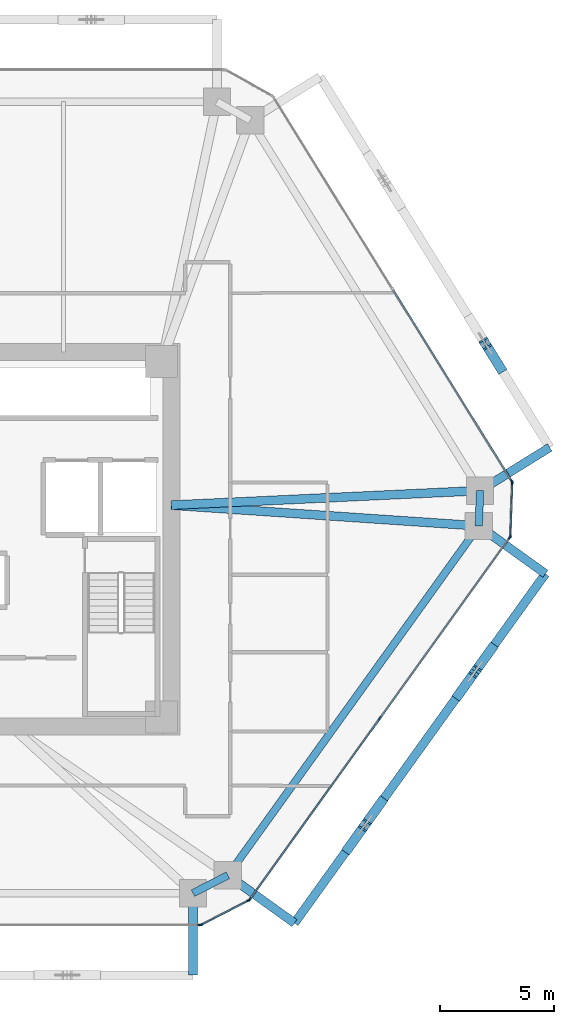
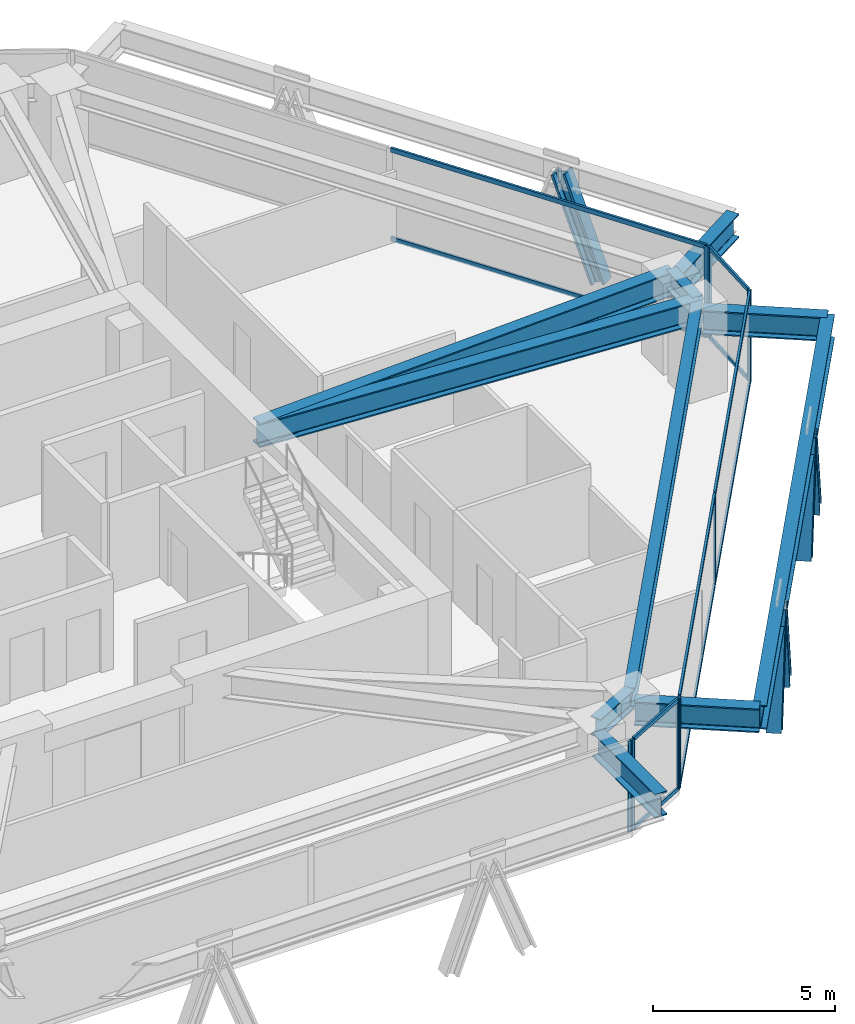
# One storey, part 5 of 15: 24 members, 10 beams, 5 elements without a shape of their own.
"""IFC4 building model written with IfcOpenShell, lengths in metres."""

from ifc_helpers import new_model, si_unit, direction, frame, origin, origin_2d, place, context, subcontext, project, spatial, rectangle, i_section, extrude, source, transform, mapped, material, layer, layer_set, material_profile, profile_set, type_object, type_shapes, element, aggregate, save


model = new_model("IFC4")

# Units and contexts
model_context = context("Model", 3, precision=1e-05, world=origin(), true_north=direction((0.0, 1.0)))
body_context = subcontext(model_context, "Body", "Model", "MODEL_VIEW")
ifc_project = project(units=[si_unit("LENGTHUNIT", "METRE"), si_unit("AREAUNIT", "SQUARE_METRE"), si_unit("VOLUMEUNIT", "CUBIC_METRE"), si_unit("PLANEANGLEUNIT", "RADIAN"), si_unit("MASSUNIT", "GRAM", prefix="KILO")], contexts=[model_context])

# Site, building, storey
site_placement = place(None, origin())
site = spatial("IfcSite", under=ifc_project, at=site_placement, CompositionType="ELEMENT")
building_placement = place(site_placement, origin())
building = spatial("IfcBuilding", under=site, at=building_placement, Name="Durnholm Broadcast Tower", CompositionType="ELEMENT")
storey_placement = place(building_placement, frame((0.0, 0.0, 97.5)))
storey = spatial("IfcBuildingStorey", under=building, at=storey_placement, Name="L25", CompositionType="ELEMENT", Elevation=97.5)

# Beams
ifc_material_1 = material(Name="Steel ASTM A992 Grade 50", Category="steel")
ifc_material_profile_1 = material_profile(ifc_material_1, i_section(OverallWidth=0.385009765625, OverallDepth=0.802978515625, WebThickness=0.023681640625, FlangeThickness=0.0419921875, FilletRadius=0.032958984375, at=origin_2d()), Name="W30X261")
ifc_profile_set_1 = profile_set([ifc_material_profile_1], Name="Steel ASTM A992 Grade 50")
beam_type_1 = type_object("IfcBeamType", Name="BM-EXO-TIE", PredefinedType="USERDEFINED", material=ifc_profile_set_1)
shared_shape_1 = source(origin(), body_context, "Body", "SweptSolid", [
    extrude(i_section(OverallWidth=0.385009765625, OverallDepth=0.802978515625, WebThickness=0.023681640625, FlangeThickness=0.0419921875, FilletRadius=0.032958984375, at=origin_2d()), origin(), (0.0, 0.0, 1.0), 3.4560546875),
])
for number, where, z_axis, x_axis, name in (
    (1, (11.176025390625, -15.680908203125, 2.30859375), (0.0, -1.0, 0.0), (1.0, 0.0, 0.0), "L25 exoskeleton stand-off tie bracket F1.2"),
    (2, (12.826904296875, -14.834228515625, 2.30859375), (0.812164951739, -0.583427880005, 0.0), (0.583427880005, 0.812164951739, 0.0), "L25 exoskeleton stand-off tie bracket F2.1"),
    (3, (23.844970703125, 0.5029296875, 2.30859375), (0.812164951739, -0.583427880005, 0.0), (0.583427880005, 0.812164951739, 0.0), "L25 exoskeleton stand-off tie bracket F2.2"),
    (4, (23.903076171875, 2.21240234375, 2.30859375), (0.849795112316, 0.527113144481, 0.0), (-0.527113144481, 0.849795112316, 0.0), "L25 exoskeleton stand-off tie bracket F3.1"),
):
    element("IfcBeam", number, at=place(storey_placement, frame(where, z_axis=z_axis, x_axis=x_axis)), inside=storey, type_object=beam_type_1, Name=name, ObjectType="GIRDER", PredefinedType="USERDEFINED", context=body_context, shape_type="MappedRepresentation", body=[
        mapped(shared_shape_1, transform((0.0, 0.0, 0.0), x_axis=(1.0, 0.0, 0.0), y_axis=(0.0, 1.0, 0.0), z_axis=(0.0, 0.0, 1.0), scale=1.0)),
    ])
ifc_material_profile_2 = material_profile(ifc_material_1, i_section(OverallWidth=0.3291015625, OverallDepth=0.635009765625, WebThickness=0.017822265625, FlangeThickness=0.031005859375, FilletRadius=0.02783203125, at=origin_2d()), Name="W24X162")
ifc_profile_set_2 = profile_set([ifc_material_profile_2], Name="Steel ASTM A992 Grade 50")
beam_type_2 = type_object("IfcBeamType", Name="STL-SP-W24X162", PredefinedType="SPANDREL", material=ifc_profile_set_2)
shared_shape_2 = source(origin(), body_context, "Body", "SweptSolid", [
    extrude(i_section(OverallWidth=0.3291015625, OverallDepth=0.635009765625, WebThickness=0.017822265625, FlangeThickness=0.031005859375, FilletRadius=0.02783203125, at=origin_2d()), origin(), (0.0, 0.0, 1.0), 18.884521484375),
])
beam_1_placement = place(storey_placement, frame((23.72802734375, 0.5869140625, 2.7275390625), z_axis=(-0.583443434414, -0.812153777827, 0.0), x_axis=(0.812153777827, -0.583443434414, 0.0)))
element("IfcBeam", 5, at=beam_1_placement, inside=storey, type_object=beam_type_2, Name="L25 perimeter spandrel girder 09", PredefinedType="SPANDREL", context=body_context, shape_type="MappedRepresentation", body=[
    mapped(shared_shape_2, transform((0.0, 0.0, 0.0), x_axis=(1.0, 0.0, 0.0), y_axis=(0.0, 1.0, 0.0), z_axis=(0.0, 0.0, 1.0), scale=1.0)),
])
shared_shape_3 = source(origin(), body_context, "Body", "SweptSolid", [
    extrude(i_section(OverallWidth=0.3291015625, OverallDepth=0.635009765625, WebThickness=0.017822265625, FlangeThickness=0.031005859375, FilletRadius=0.02783203125, at=origin_2d()), origin(), (0.0, 0.0, 1.0), 1.723876953125),
])
beam_2_placement = place(storey_placement, frame((12.7099609375, -14.750244140625, 2.7275390625), z_axis=(-0.889762904339, -0.456423020959, 0.0), x_axis=(0.456423020959, -0.889762904339, 0.0)))
element("IfcBeam", 6, at=beam_2_placement, inside=storey, type_object=beam_type_2, Name="L25 perimeter spandrel girder 10", PredefinedType="SPANDREL", context=body_context, shape_type="MappedRepresentation", body=[
    mapped(shared_shape_3, transform((0.0, 0.0, 0.0), x_axis=(1.0, 0.0, 0.0), y_axis=(0.0, 1.0, 0.0), z_axis=(0.0, 0.0, 1.0), scale=1.0)),
])
shared_shape_4 = source(origin(), body_context, "Body", "SweptSolid", [
    extrude(i_section(OverallWidth=0.3291015625, OverallDepth=0.635009765625, WebThickness=0.017822265625, FlangeThickness=0.031005859375, FilletRadius=0.02783203125, at=origin_2d()), origin(), (0.0, 0.0, 1.0), 1.55078125),
])
type_shapes(beam_type_2, [shared_shape_2, shared_shape_3, shared_shape_4])
beam_3_placement = place(storey_placement, frame((23.78076171875, 2.13671875, 2.7275390625), z_axis=(-0.03400678419, -0.999421602042, 0.0), x_axis=(0.999421602042, -0.03400678419, 0.0)))
element("IfcBeam", 7, at=beam_3_placement, inside=storey, type_object=beam_type_2, Name="L25 perimeter spandrel girder 08", PredefinedType="SPANDREL", context=body_context, shape_type="MappedRepresentation", body=[
    mapped(shared_shape_4, transform((0.0, 0.0, 0.0), x_axis=(1.0, 0.0, 0.0), y_axis=(0.0, 1.0, 0.0), z_axis=(0.0, 0.0, 1.0), scale=1.0)),
])
ifc_material_profile_3 = material_profile(ifc_material_1, i_section(OverallWidth=0.385009765625, OverallDepth=0.802978515625, WebThickness=0.023681640625, FlangeThickness=0.0419921875, FilletRadius=0.032958984375, at=origin_2d()), Name="W30X261")
ifc_profile_set_3 = profile_set([ifc_material_profile_3], Name="Steel ASTM A992 Grade 50")
beam_type_3 = type_object("IfcBeamType", Name="STL-GR-W30X261", PredefinedType="USERDEFINED", material=ifc_profile_set_3)
shared_shape_5 = source(origin(), body_context, "Body", "SweptSolid", [
    extrude(i_section(OverallWidth=0.385009765625, OverallDepth=0.802978515625, WebThickness=0.023681640625, FlangeThickness=0.0419921875, FilletRadius=0.032958984375, at=origin_2d()), origin(), (0.0, 0.0, 1.0), 13.570556640625),
])
beam_4_placement = place(storey_placement, frame((10.22509765625, 1.5, 2.6435546875), z_axis=(0.99889869961, 0.046918950518, 0.0), x_axis=(-0.046918950518, 0.99889869961, 0.0)))
element("IfcBeam", 8, at=beam_4_placement, inside=storey, type_object=beam_type_3, Name="L25 radial primary floor girder 08", ObjectType="GIRDER", PredefinedType="USERDEFINED", context=body_context, shape_type="MappedRepresentation", body=[
    mapped(shared_shape_5, transform((0.0, 0.0, 0.0), x_axis=(1.0, 0.0, 0.0), y_axis=(0.0, 1.0, 0.0), z_axis=(0.0, 0.0, 1.0), scale=1.0)),
])
shared_shape_6 = source(origin(), body_context, "Body", "SweptSolid", [
    extrude(i_section(OverallWidth=0.385009765625, OverallDepth=0.802978515625, WebThickness=0.023681640625, FlangeThickness=0.0419921875, FilletRadius=0.032958984375, at=origin_2d()), origin(), (0.0, 0.0, 1.0), 13.53369140625),
])
type_shapes(beam_type_3, [shared_shape_5, shared_shape_6])
beam_5_placement = place(storey_placement, frame((10.22509765625, 1.5, 2.6435546875), z_axis=(0.99772148964, -0.067467244725, 0.0), x_axis=(0.067467244725, 0.99772148964, 0.0)))
element("IfcBeam", 9, at=beam_5_placement, inside=storey, type_object=beam_type_3, Name="L25 radial primary floor girder 09", ObjectType="GIRDER", PredefinedType="USERDEFINED", context=body_context, shape_type="MappedRepresentation", body=[
    mapped(shared_shape_6, transform((0.0, 0.0, 0.0), x_axis=(1.0, 0.0, 0.0), y_axis=(0.0, 1.0, 0.0), z_axis=(0.0, 0.0, 1.0), scale=1.0)),
])
shared_shape_7 = source(origin(), body_context, "Body", "SweptSolid", [
    extrude(i_section(OverallWidth=0.385009765625, OverallDepth=0.802978515625, WebThickness=0.023681640625, FlangeThickness=0.0419921875, FilletRadius=0.032958984375, at=origin_2d()), origin(), (0.0, 0.0, 1.0), 18.884521484375),
])
type_shapes(beam_type_1, [shared_shape_1, shared_shape_7])
beam_6_placement = place(storey_placement, frame((15.6337890625, -16.8505859375, 2.30859375), z_axis=(0.583443434414, 0.812153777827, 0.0), x_axis=(-0.812153777827, 0.583443434414, 0.0)))
element("IfcBeam", 10, at=beam_6_placement, inside=storey, type_object=beam_type_1, Name="L25 exoskeleton collector spandrel F2", PredefinedType="SPANDREL", context=body_context, shape_type="MappedRepresentation", body=[
    mapped(shared_shape_7, transform((0.0, 0.0, 0.0), x_axis=(1.0, 0.0, 0.0), y_axis=(0.0, 1.0, 0.0), z_axis=(0.0, 0.0, 1.0), scale=1.0)),
])

# Members
ifc_material_2 = material(Name="Steel ASTM A913 Grade 65", Category="steel")
ifc_material_profile_4 = material_profile(ifc_material_2, i_section(OverallWidth=0.424072265625, OverallDepth=0.47412109375, WebThickness=0.047607421875, FlangeThickness=0.0771484375, FilletRadius=0.030517578125, at=origin_2d()), Name="W14X426")
ifc_profile_set_4 = profile_set([ifc_material_profile_4], Name="Steel ASTM A913 Grade 65")
member_type_1 = type_object("IfcMemberType", Name="STL-DG-W14X426", PredefinedType="BRACE", material=ifc_profile_set_4)
shared_shape_8 = source(origin(), body_context, "Body", "SweptSolid", [
    extrude(i_section(OverallWidth=0.424072265625, OverallDepth=0.47412109375, WebThickness=0.047607421875, FlangeThickness=0.0771484375, FilletRadius=0.030517578125, at=origin_2d()), origin(), (0.0, 0.0, 1.0), 3.523193359375),
])
type_shapes(member_type_1, [shared_shape_8])
for number, where, z_axis, x_axis, name in (
    (11, (17.9990234375, -13.558349609375, -0.991455078125), (0.204287819296, 0.284395254542, 0.936688756248), (-0.812179469647, 0.583407669717, 0.0), "L25 stand-off diagrid brace F2.D1.1"),
    (12, (19.438720703125, -11.55419921875, -0.991455078125), (-0.204350195342, -0.284454917557, 0.936657033039), (0.812153063014, -0.583444429434, 0.0), "L25 stand-off diagrid brace F2.D1.2"),
    (13, (22.846923828125, -6.81005859375, -0.991455078125), (0.204350195342, 0.284454917557, 0.936657033039), (-0.812153063014, 0.583444429434, 0.0), "L25 stand-off diagrid brace F2.D2.1"),
    (14, (24.28662109375, -4.805908203125, -0.991455078125), (-0.204287819296, -0.284395254542, 0.936688756248), (0.812179469647, -0.583407669717, 0.0), "L25 stand-off diagrid brace F2.D2.2"),
    (15, (24.66552734375, 7.539794921875, -0.991455078125), (-0.184602835855, 0.297623566065, 0.936665364961), (-0.849805205368, -0.527096872433, 0.0), "L25 stand-off diagrid brace F3.D1.1"),
):
    element("IfcMember", number, at=place(storey_placement, frame(where, z_axis=z_axis, x_axis=x_axis)), inside=storey, type_object=member_type_1, Name=name, PredefinedType="BRACE", context=body_context, shape_type="MappedRepresentation", body=[
        mapped(shared_shape_8, transform((0.0, 0.0, 0.0), x_axis=(1.0, 0.0, 0.0), y_axis=(0.0, 1.0, 0.0), z_axis=(0.0, 0.0, 1.0), scale=1.0)),
    ])

# Curtain wall, members
ifc_material_3 = material(Name="Aluminium and Solar Control IGU", Category="aluminium")
ifc_layer_1 = layer(ifc_material_3, 0.1650390625)
ifc_layer_set_1 = layer_set([ifc_layer_1], Name="Aluminium and Solar Control IGU")
curtain_wall_type_1 = type_object("IfcCurtainWallType", Name="CW-SYS-5", PredefinedType="NOTDEFINED", material=ifc_layer_set_1)
curtain_wall_1_placement = place(storey_placement, origin())
curtain_wall_1 = element("IfcCurtainWall", 16, at=curtain_wall_1_placement, inside=storey, type_object=curtain_wall_type_1, Name="L25 curtain wall CW-CORNER CW-L25-CRN-07", PredefinedType="NOTDEFINED")
ifc_material_4 = material(Name="Aluminium 6063-T6", Category="aluminium")
ifc_material_profile_5 = material_profile(ifc_material_4, rectangle(XDim=0.06494140625, YDim=0.1650390625, at=origin_2d()), Name="CWM65X165")
ifc_profile_set_5 = profile_set([ifc_material_profile_5], Name="Aluminium 6063-T6")
member_type_2 = type_object("IfcMemberType", Name="CW-SYS-5-MUL", PredefinedType="MULLION", material=ifc_profile_set_5)
shared_shape_9 = source(origin(), body_context, "Body", "SweptSolid", [
    extrude(rectangle(XDim=0.06494140625, YDim=0.1650390625, at=origin_2d()), origin(), (0.0, 0.0, 1.0), 3.06005859375),
])
type_shapes(member_type_2, [shared_shape_9])
member_1_placement = place(storey_placement, frame((25.193115234375, 2.481201171875, 0.0), z_axis=(0.0, 0.0, 1.0), x_axis=(0.999424655155, -0.033916937775, 0.0)))
member_1 = element("IfcMember", 17, at=member_1_placement, type_object=member_type_2, Name="CW-CORNER mullion 1", PredefinedType="MULLION", context=body_context, shape_type="MappedRepresentation", body=[
    mapped(shared_shape_9, transform((0.0, 0.0, 0.0), x_axis=(1.0, 0.0, 0.0), y_axis=(0.0, 1.0, 0.0), z_axis=(0.0, 0.0, 1.0), scale=1.0)),
])
member_2_placement = place(storey_placement, frame((25.114013671875, 0.1474609375, 0.0), z_axis=(0.0, 0.0, 1.0), x_axis=(0.999424655155, -0.033916937775, 0.0)))
member_2 = element("IfcMember", 18, at=member_2_placement, type_object=member_type_2, Name="CW-CORNER mullion 2", PredefinedType="MULLION", context=body_context, shape_type="MappedRepresentation", body=[
    mapped(shared_shape_9, transform((0.0, 0.0, 0.0), x_axis=(1.0, 0.0, 0.0), y_axis=(0.0, 1.0, 0.0), z_axis=(0.0, 0.0, 1.0), scale=1.0)),
])

curtain_wall_2_placement = place(storey_placement, origin())
curtain_wall_2 = element("IfcCurtainWall", 19, at=curtain_wall_2_placement, inside=storey, type_object=curtain_wall_type_1, Name="L25 curtain wall CW-CORNER CW-L25-CRN-09", PredefinedType="NOTDEFINED")
member_3_placement = place(storey_placement, frame((13.620849609375, -15.8564453125, 0.0), z_axis=(0.0, 0.0, 1.0), x_axis=(0.45637332267, -0.889788396392, 0.0)))
member_3 = element("IfcMember", 20, at=member_3_placement, type_object=member_type_2, Name="CW-CORNER mullion 1", PredefinedType="MULLION", context=body_context, shape_type="MappedRepresentation", body=[
    mapped(shared_shape_9, transform((0.0, 0.0, 0.0), x_axis=(1.0, 0.0, 0.0), y_axis=(0.0, 1.0, 0.0), z_axis=(0.0, 0.0, 1.0), scale=1.0)),
])
member_4_placement = place(storey_placement, frame((11.543212890625, -16.922119140625, 0.0), z_axis=(0.0, 0.0, 1.0), x_axis=(0.45637332267, -0.889788396392, 0.0)))
member_4 = element("IfcMember", 21, at=member_4_placement, type_object=member_type_2, Name="CW-CORNER mullion 2", PredefinedType="MULLION", context=body_context, shape_type="MappedRepresentation", body=[
    mapped(shared_shape_9, transform((0.0, 0.0, 0.0), x_axis=(1.0, 0.0, 0.0), y_axis=(0.0, 1.0, 0.0), z_axis=(0.0, 0.0, 1.0), scale=1.0)),
])

# Curtain wall, member
ifc_layer_2 = layer(ifc_material_3, 0.18994140625)
ifc_layer_set_2 = layer_set([ifc_layer_2], Name="Aluminium and Solar Control IGU")
curtain_wall_type_2 = type_object("IfcCurtainWallType", Name="CW-SYS-3", PredefinedType="NOTDEFINED", material=ifc_layer_set_2)
curtain_wall_3_placement = place(storey_placement, origin())
curtain_wall_3 = element("IfcCurtainWall", 22, at=curtain_wall_3_placement, inside=storey, type_object=curtain_wall_type_2, Name="L25 curtain wall CW-Z12-VIS CW-L25-F06", PredefinedType="NOTDEFINED")
ifc_material_profile_6 = material_profile(ifc_material_4, rectangle(XDim=0.070068359375, YDim=0.18994140625, at=origin_2d()), Name="CWM70X190")
ifc_profile_set_6 = profile_set([ifc_material_profile_6], Name="Aluminium 6063-T6")
member_type_3 = type_object("IfcMemberType", Name="CW-SYS-3-MUL", PredefinedType="MULLION", material=ifc_profile_set_6)
shared_shape_10 = source(origin(), body_context, "Body", "SweptSolid", [
    extrude(rectangle(XDim=0.070068359375, YDim=0.18994140625, at=origin_2d()), origin(), (0.0, 0.0, 1.0), 3.06005859375),
])
type_shapes(member_type_3, [shared_shape_10])
member_5_placement = place(storey_placement, frame((25.17578125, 2.54345703125, 0.0), z_axis=(0.0, 0.0, 1.0), x_axis=(0.849799925229, 0.527105385176, 0.0)))
member_5 = element("IfcMember", 23, at=member_5_placement, type_object=member_type_3, Name="CW-Z12-VIS mullion 3", PredefinedType="MULLION", context=body_context, shape_type="MappedRepresentation", body=[
    mapped(shared_shape_10, transform((0.0, 0.0, 0.0), x_axis=(1.0, 0.0, 0.0), y_axis=(0.0, 1.0, 0.0), z_axis=(0.0, 0.0, 1.0), scale=1.0)),
])

# Curtain wall, members
curtain_wall_4_placement = place(storey_placement, origin())
curtain_wall_4 = element("IfcCurtainWall", 24, at=curtain_wall_4_placement, inside=storey, type_object=curtain_wall_type_2, Name="L25 curtain wall CW-Z12-VIS CW-L25-F08", PredefinedType="NOTDEFINED")
member_6_placement = place(storey_placement, frame((25.092529296875, 0.086669921875, 0.0), z_axis=(0.0, 0.0, 1.0), x_axis=(0.812152312759, -0.583445473786, 0.0)))
member_6 = element("IfcMember", 25, at=member_6_placement, type_object=member_type_3, Name="CW-Z12-VIS mullion 1", PredefinedType="MULLION", context=body_context, shape_type="MappedRepresentation", body=[
    mapped(shared_shape_10, transform((0.0, 0.0, 0.0), x_axis=(1.0, 0.0, 0.0), y_axis=(0.0, 1.0, 0.0), z_axis=(0.0, 0.0, 1.0), scale=1.0)),
])
member_7_placement = place(storey_placement, frame((19.38134765625, -7.86328125, 0.0), z_axis=(0.0, 0.0, 1.0), x_axis=(0.812152312759, -0.583445473786, 0.0)))
member_7 = element("IfcMember", 26, at=member_7_placement, type_object=member_type_3, Name="CW-Z12-VIS mullion 2", PredefinedType="MULLION", context=body_context, shape_type="MappedRepresentation", body=[
    mapped(shared_shape_10, transform((0.0, 0.0, 0.0), x_axis=(1.0, 0.0, 0.0), y_axis=(0.0, 1.0, 0.0), z_axis=(0.0, 0.0, 1.0), scale=1.0)),
])
member_8_placement = place(storey_placement, frame((13.670166015625, -15.813232421875, 0.0), z_axis=(0.0, 0.0, 1.0), x_axis=(0.812152312759, -0.583445473786, 0.0)))
member_8 = element("IfcMember", 27, at=member_8_placement, type_object=member_type_3, Name="CW-Z12-VIS mullion 3", PredefinedType="MULLION", context=body_context, shape_type="MappedRepresentation", body=[
    mapped(shared_shape_10, transform((0.0, 0.0, 0.0), x_axis=(1.0, 0.0, 0.0), y_axis=(0.0, 1.0, 0.0), z_axis=(0.0, 0.0, 1.0), scale=1.0)),
])

# Curtain wall, member
curtain_wall_5_placement = place(storey_placement, origin())
curtain_wall_5 = element("IfcCurtainWall", 28, at=curtain_wall_5_placement, inside=storey, type_object=curtain_wall_type_2, Name="L25 curtain wall CW-Z12-VIS CW-L25-F10", PredefinedType="NOTDEFINED")
member_9_placement = place(storey_placement, frame((11.479248046875, -16.93701171875, 0.0), z_axis=(0.0, 0.0, 1.0), x_axis=(0.0, -1.0, 0.0)))
member_9 = element("IfcMember", 29, at=member_9_placement, type_object=member_type_3, Name="CW-Z12-VIS mullion 1", PredefinedType="MULLION", context=body_context, shape_type="MappedRepresentation", body=[
    mapped(shared_shape_10, transform((0.0, 0.0, 0.0), x_axis=(1.0, 0.0, 0.0), y_axis=(0.0, 1.0, 0.0), z_axis=(0.0, 0.0, 1.0), scale=1.0)),
])
aggregate(curtain_wall_5, [member_9])

# Member
ifc_material_profile_7 = material_profile(ifc_material_4, rectangle(XDim=0.06494140625, YDim=0.1298828125, at=origin_2d()), Name="CWT65X130")
ifc_profile_set_7 = profile_set([ifc_material_profile_7], Name="Aluminium 6063-T6")
member_type_4 = type_object("IfcMemberType", Name="CW-SYS-5-TRN", PredefinedType="USERDEFINED", material=ifc_profile_set_7)
shared_shape_11 = source(origin(), body_context, "Body", "SweptSolid", [
    extrude(rectangle(XDim=0.06494140625, YDim=0.1298828125, at=origin_2d()), origin(), (0.0, 0.0, 1.0), 2.27001953125),
])
type_shapes(member_type_4, [shared_shape_11])
member_10_placement = place(storey_placement, frame((25.192138671875, 2.44873046875, 0.032470703125), z_axis=(-0.03398444704, -0.999422361847, 0.0), x_axis=(0.999422361847, -0.03398444704, 0.0)))
member_10 = element("IfcMember", 30, at=member_10_placement, type_object=member_type_4, Name="CW-CORNER transom 1.1", ObjectType="TRANSOM", PredefinedType="USERDEFINED", context=body_context, shape_type="MappedRepresentation", body=[
    mapped(shared_shape_11, transform((0.0, 0.0, 0.0), x_axis=(1.0, 0.0, 0.0), y_axis=(0.0, 1.0, 0.0), z_axis=(0.0, 0.0, 1.0), scale=1.0)),
])

member_11_placement = place(storey_placement, frame((25.192138671875, 2.44873046875, 3.027587890625), z_axis=(-0.03398444704, -0.999422361847, 0.0), x_axis=(0.999422361847, -0.03398444704, 0.0)))
member_11 = element("IfcMember", 31, at=member_11_placement, type_object=member_type_4, Name="CW-CORNER transom 1.2", ObjectType="TRANSOM", PredefinedType="USERDEFINED", context=body_context, shape_type="MappedRepresentation", body=[
    mapped(shared_shape_11, transform((0.0, 0.0, 0.0), x_axis=(1.0, 0.0, 0.0), y_axis=(0.0, 1.0, 0.0), z_axis=(0.0, 0.0, 1.0), scale=1.0)),
])

aggregate(curtain_wall_1, [member_1, member_2, member_10, member_11])

member_12_placement = place(storey_placement, frame((13.591796875, -15.871337890625, 0.032470703125), z_axis=(-0.889798425843, -0.456353767781, 0.0), x_axis=(0.456353767781, -0.889798425843, 0.0)))
member_12 = element("IfcMember", 32, at=member_12_placement, type_object=member_type_4, Name="CW-CORNER transom 1.1", ObjectType="TRANSOM", PredefinedType="USERDEFINED", context=body_context, shape_type="MappedRepresentation", body=[
    mapped(shared_shape_11, transform((0.0, 0.0, 0.0), x_axis=(1.0, 0.0, 0.0), y_axis=(0.0, 1.0, 0.0), z_axis=(0.0, 0.0, 1.0), scale=1.0)),
])

member_13_placement = place(storey_placement, frame((13.591796875, -15.871337890625, 3.027587890625), z_axis=(-0.889798425843, -0.456353767781, 0.0), x_axis=(0.456353767781, -0.889798425843, 0.0)))
member_13 = element("IfcMember", 33, at=member_13_placement, type_object=member_type_4, Name="CW-CORNER transom 1.2", ObjectType="TRANSOM", PredefinedType="USERDEFINED", context=body_context, shape_type="MappedRepresentation", body=[
    mapped(shared_shape_11, transform((0.0, 0.0, 0.0), x_axis=(1.0, 0.0, 0.0), y_axis=(0.0, 1.0, 0.0), z_axis=(0.0, 0.0, 1.0), scale=1.0)),
])

aggregate(curtain_wall_2, [member_3, member_4, member_12, member_13])

ifc_material_profile_8 = material_profile(ifc_material_4, rectangle(XDim=0.070068359375, YDim=0.14990234375, at=origin_2d()), Name="CWT70X150")
ifc_profile_set_8 = profile_set([ifc_material_profile_8], Name="Aluminium 6063-T6")
member_type_5 = type_object("IfcMemberType", Name="CW-SYS-3-TRN", PredefinedType="USERDEFINED", material=ifc_profile_set_8)
shared_shape_12 = source(origin(), body_context, "Body", "SweptSolid", [
    extrude(rectangle(XDim=0.070068359375, YDim=0.14990234375, at=origin_2d()), origin(), (0.0, 0.0, 1.0), 9.71875),
])
member_14_placement = place(storey_placement, frame((25.072021484375, 0.05810546875, 0.034912109375), z_axis=(-0.583450726174, -0.812148539448, 0.0), x_axis=(0.812148539448, -0.583450726174, 0.0)))
member_14 = element("IfcMember", 34, at=member_14_placement, type_object=member_type_5, Name="CW-Z12-VIS transom 1.1", ObjectType="TRANSOM", PredefinedType="USERDEFINED", context=body_context, shape_type="MappedRepresentation", body=[
    mapped(shared_shape_12, transform((0.0, 0.0, 0.0), x_axis=(1.0, 0.0, 0.0), y_axis=(0.0, 1.0, 0.0), z_axis=(0.0, 0.0, 1.0), scale=1.0)),
])

member_15_placement = place(storey_placement, frame((25.072021484375, 0.05810546875, 3.02490234375), z_axis=(-0.583450726174, -0.812148539448, 0.0), x_axis=(0.812148539448, -0.583450726174, 0.0)))
member_15 = element("IfcMember", 35, at=member_15_placement, type_object=member_type_5, Name="CW-Z12-VIS transom 1.2", ObjectType="TRANSOM", PredefinedType="USERDEFINED", context=body_context, shape_type="MappedRepresentation", body=[
    mapped(shared_shape_12, transform((0.0, 0.0, 0.0), x_axis=(1.0, 0.0, 0.0), y_axis=(0.0, 1.0, 0.0), z_axis=(0.0, 0.0, 1.0), scale=1.0)),
])

member_16_placement = place(storey_placement, frame((19.36083984375, -7.891845703125, 0.034912109375), z_axis=(-0.583450726174, -0.812148539448, 0.0), x_axis=(0.812148539448, -0.583450726174, 0.0)))
member_16 = element("IfcMember", 36, at=member_16_placement, type_object=member_type_5, Name="CW-Z12-VIS transom 2.1", ObjectType="TRANSOM", PredefinedType="USERDEFINED", context=body_context, shape_type="MappedRepresentation", body=[
    mapped(shared_shape_12, transform((0.0, 0.0, 0.0), x_axis=(1.0, 0.0, 0.0), y_axis=(0.0, 1.0, 0.0), z_axis=(0.0, 0.0, 1.0), scale=1.0)),
])

member_17_placement = place(storey_placement, frame((19.36083984375, -7.891845703125, 3.02490234375), z_axis=(-0.583450726174, -0.812148539448, 0.0), x_axis=(0.812148539448, -0.583450726174, 0.0)))
member_17 = element("IfcMember", 37, at=member_17_placement, type_object=member_type_5, Name="CW-Z12-VIS transom 2.2", ObjectType="TRANSOM", PredefinedType="USERDEFINED", context=body_context, shape_type="MappedRepresentation", body=[
    mapped(shared_shape_12, transform((0.0, 0.0, 0.0), x_axis=(1.0, 0.0, 0.0), y_axis=(0.0, 1.0, 0.0), z_axis=(0.0, 0.0, 1.0), scale=1.0)),
])

aggregate(curtain_wall_4, [member_6, member_7, member_8, member_14, member_15, member_16, member_17])

shared_shape_13 = source(origin(), body_context, "Body", "SweptSolid", [
    extrude(rectangle(XDim=0.070068359375, YDim=0.14990234375, at=origin_2d()), origin(), (0.0, 0.0, 1.0), 9.859130859375),
])
type_shapes(member_type_5, [shared_shape_12, shared_shape_13])
member_18_placement = place(storey_placement, frame((19.960693359375, 10.951171875, 0.034912109375), z_axis=(0.527108872232, -0.849797762303, 0.0), x_axis=(0.849797762303, 0.527108872232, 0.0)))
member_18 = element("IfcMember", 38, at=member_18_placement, type_object=member_type_5, Name="CW-Z12-VIS transom 2.1", ObjectType="TRANSOM", PredefinedType="USERDEFINED", context=body_context, shape_type="MappedRepresentation", body=[
    mapped(shared_shape_13, transform((0.0, 0.0, 0.0), x_axis=(1.0, 0.0, 0.0), y_axis=(0.0, 1.0, 0.0), z_axis=(0.0, 0.0, 1.0), scale=1.0)),
])

member_19_placement = place(storey_placement, frame((19.960693359375, 10.951171875, 3.02490234375), z_axis=(0.527108872232, -0.849797762303, 0.0), x_axis=(0.849797762303, 0.527108872232, 0.0)))
member_19 = element("IfcMember", 39, at=member_19_placement, type_object=member_type_5, Name="CW-Z12-VIS transom 2.2", ObjectType="TRANSOM", PredefinedType="USERDEFINED", context=body_context, shape_type="MappedRepresentation", body=[
    mapped(shared_shape_13, transform((0.0, 0.0, 0.0), x_axis=(1.0, 0.0, 0.0), y_axis=(0.0, 1.0, 0.0), z_axis=(0.0, 0.0, 1.0), scale=1.0)),
])

aggregate(curtain_wall_3, [member_5, member_18, member_19])

save(model, "model.ifc")
